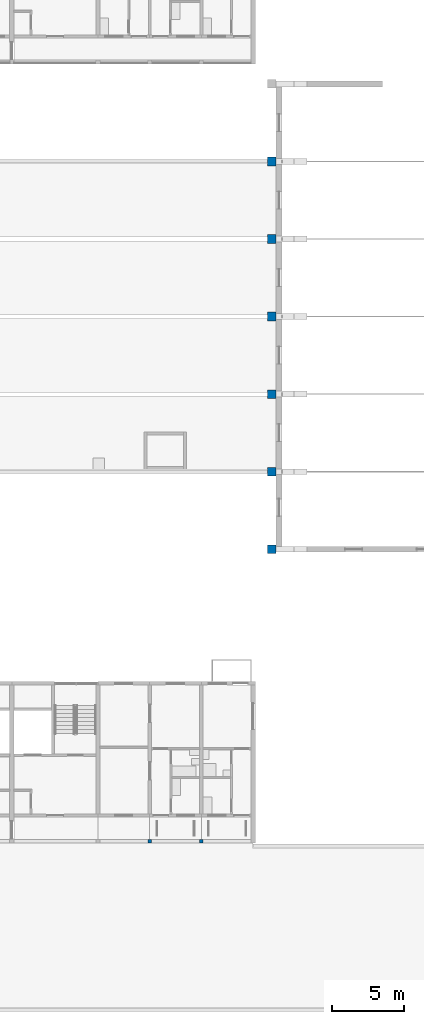
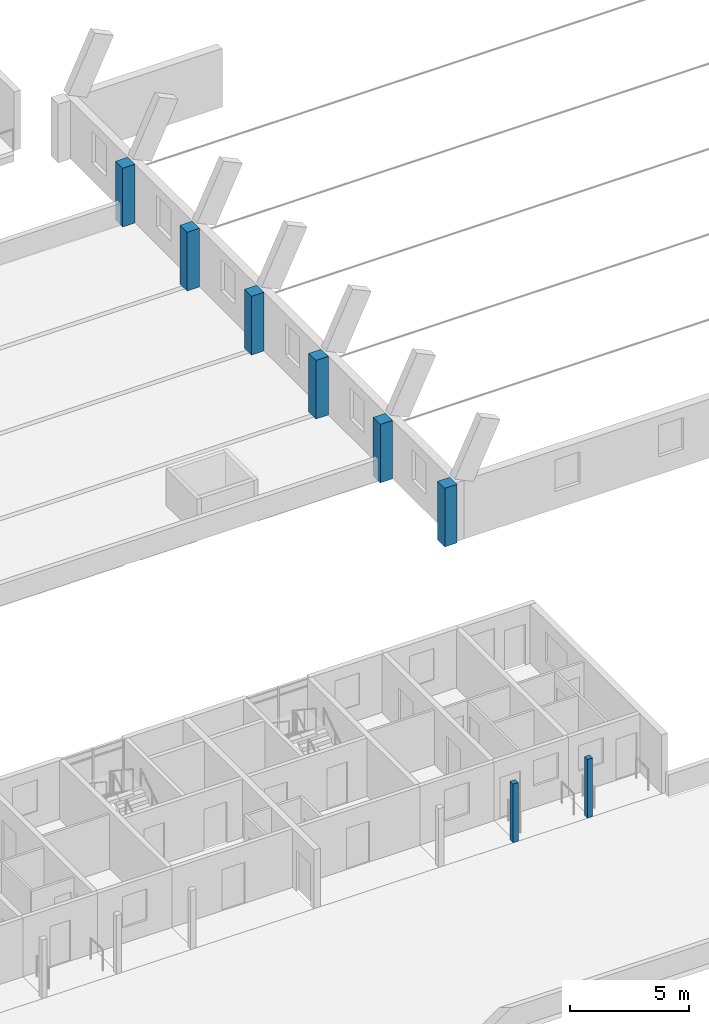
# One storey, part 3 of 115: 8 columns.
"""IFC4 building model written with IfcOpenShell, lengths in metres."""

from ifc_helpers import new_model, si_unit, direction, frame, origin, origin_2d, place, context, subcontext, project, spatial, rectangle, extrude, material, material_profile, profile_set, type_object, element, save


model = new_model("IFC4")

# Units and contexts
model_context = context("Model", 3, precision=1e-05, world=origin(), true_north=direction((0.0, 1.0)))
body_context = subcontext(model_context, "Body", "Model", "MODEL_VIEW")
ifc_project = project(units=[si_unit("LENGTHUNIT", "METRE"), si_unit("AREAUNIT", "SQUARE_METRE"), si_unit("VOLUMEUNIT", "CUBIC_METRE"), si_unit("PLANEANGLEUNIT", "RADIAN"), si_unit("MASSUNIT", "GRAM", prefix="KILO")], contexts=[model_context])

# Site, building, storey
site_placement = place(None, origin())
site = spatial("IfcSite", under=ifc_project, at=site_placement, CompositionType="ELEMENT")
building_placement = place(site_placement, origin())
building = spatial("IfcBuilding", under=site, at=building_placement, Name="Ridgestep Commons", CompositionType="ELEMENT")
storey_placement = place(building_placement, frame((0.0, 0.0, 6.0)))
storey = spatial("IfcBuildingStorey", under=building, at=storey_placement, Name="L02", CompositionType="ELEMENT", Elevation=6.0)

# Columns
ifc_material_1 = material(Name="Precast concrete C40/50", Category="concrete")
ifc_material_profile_1 = material_profile(ifc_material_1, rectangle(XDim=0.60009765625, YDim=0.60009765625, at=origin_2d()), Name="Buttress pier 600 x 600")
ifc_profile_set_1 = profile_set([ifc_material_profile_1], Name="Precast concrete C40/50")
column_type_1 = type_object("IfcColumnType", Name="Buttress pier 600 x 600", PredefinedType="COLUMN", material=ifc_profile_set_1)
for number, where, z_axis, x_axis, name in (
    (1, (114.10009765625, 32.199951171875, 0.0), (0.0, 0.0, 1.0), (1.0, 0.0, 0.0), "Hall vault buttress pier"),
    (2, (114.10009765625, 37.60009765625, 0.0), (0.0, 0.0, 1.0), (1.0, 0.0, 0.0), "Hall vault buttress pier"),
    (3, (114.10009765625, 43.0, 0.0), (0.0, 0.0, 1.0), (1.0, 0.0, 0.0), "Hall vault buttress pier"),
    (4, (114.10009765625, 48.39990234375, 0.0), (0.0, 0.0, 1.0), (1.0, 0.0, 0.0), "Hall vault buttress pier"),
    (5, (114.10009765625, 53.800048828125, 0.0), (0.0, 0.0, 1.0), (1.0, 0.0, 0.0), "Hall vault buttress pier"),
    (6, (114.10009765625, 59.199951171875, 0.0), (0.0, 0.0, 1.0), (1.0, 0.0, 0.0), "Hall vault buttress pier"),
):
    element("IfcColumn", number, at=place(storey_placement, frame(where, z_axis=z_axis, x_axis=x_axis)), inside=storey, type_object=column_type_1, Name=name, PredefinedType="COLUMN", context=body_context, shape_type="SweptSolid", body=[
        extrude(rectangle(XDim=0.60009765625, YDim=0.60009765625, at=origin_2d()), origin(), (0.0, 0.0, 1.0), 3.0),
    ])
ifc_material_2 = material(Name="Precast concrete C40/50", Category="concrete")
ifc_material_profile_2 = material_profile(ifc_material_2, rectangle(XDim=0.25, YDim=0.25, at=origin_2d()), Name="PC 250x250")
ifc_profile_set_2 = profile_set([ifc_material_profile_2], Name="Precast concrete C40/50")
column_type_2 = type_object("IfcColumnType", Name="Loggia column 250 x 250", PredefinedType="COLUMN", material=ifc_profile_set_2)
for number, where, z_axis, x_axis, name in (
    (7, (105.60009765625, 11.875, 0.0), (0.0, 0.0, 1.0), (1.0, 0.0, 0.0), "Loggia column A L02"),
    (8, (109.199951171875, 11.875, 0.0), (0.0, 0.0, 1.0), (1.0, 0.0, 0.0), "Loggia column A L02"),
):
    element("IfcColumn", number, at=place(storey_placement, frame(where, z_axis=z_axis, x_axis=x_axis)), inside=storey, type_object=column_type_2, Name=name, PredefinedType="COLUMN", context=body_context, shape_type="SweptSolid", body=[
        extrude(rectangle(XDim=0.25, YDim=0.25, at=origin_2d()), origin(), (0.0, 0.0, 1.0), 3.0),
    ])

save(model, "model.ifc")
